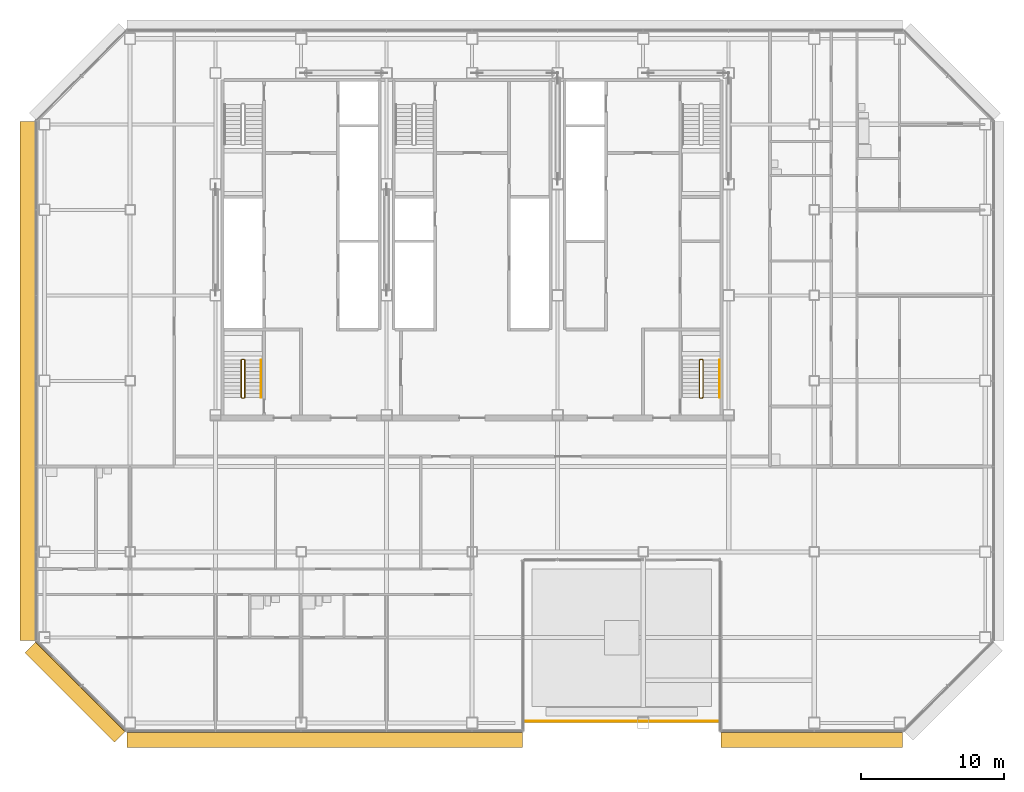
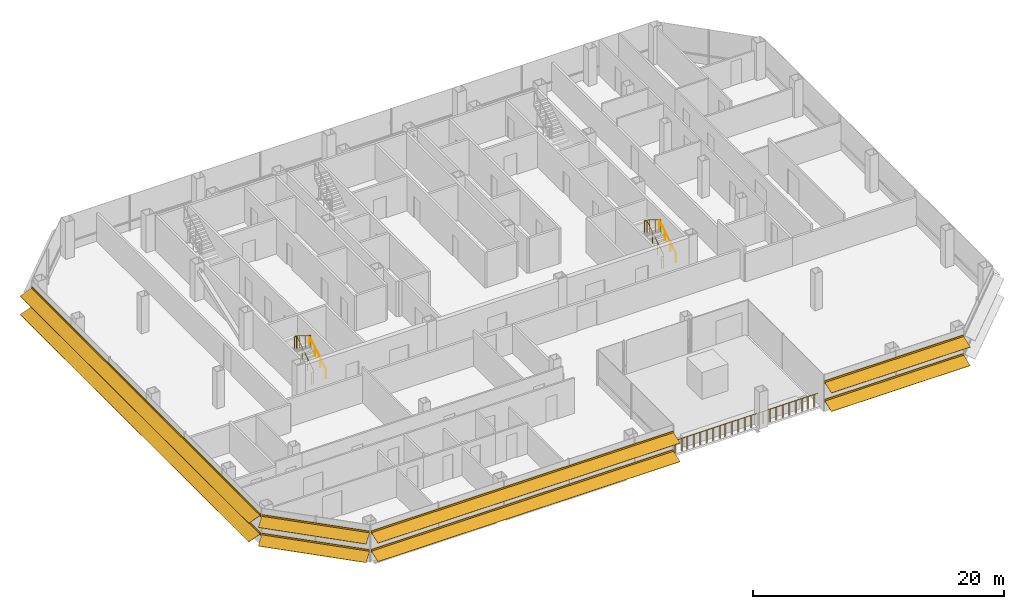
# One storey, part 23 of 26: 5 railings, 4 shading devices.
"""IFC4 building model written with IfcOpenShell, lengths in metres."""

import ifcopenshell
import ifcopenshell.guid

model = None  # the IFC model being written
_history = None  # IfcOwnerHistory: only IFC2X3 demands one
_inside = {}  # id of a spatial element -> (the spatial element, [elements in it])
_under = {}  # id of a project, library or spatial element -> (it, [spatial elements below it])
_declared = {}  # id of a project -> (the project, [libraries it declares])
_typed = {}  # id of a type object -> (the type object, [elements of that type])
_made_of = {}  # id of a material, layer set ... -> (it, [elements and type objects made of it])


def new_model(schema):
    """Start an empty IFC model of exactly this schema.

    Asked for "IFC4X3", IfcOpenShell would pick the latest addendum, in which some entities
    have other attributes; the version numbers below select the first issue.
    IFC2X3 requires an IfcOwnerHistory on every rooted entity: one is made here for all.
    """
    global model, _history
    if schema == "IFC4X3":
        model = ifcopenshell.file(schema_version=(4, 3, 0, 0))
    else:
        model = ifcopenshell.file(schema=schema)
    _inside.clear()
    _under.clear()
    _declared.clear()
    _typed.clear()
    _made_of.clear()
    _history = None
    if model.schema == "IFC2X3":
        org = make("IfcOrganization", Name="unknown")
        user = make(
            "IfcPersonAndOrganization",
            ThePerson=make("IfcPerson", FamilyName="unknown"),
            TheOrganization=org,
        )
        app = make(
            "IfcApplication",
            ApplicationDeveloper=org,
            Version="unknown",
            ApplicationFullName="unknown",
            ApplicationIdentifier="unknown",
        )
        _history = make(
            "IfcOwnerHistory",
            OwningUser=user,
            OwningApplication=app,
            ChangeAction="ADDED",
            CreationDate=0,
        )
    return model


def make(cls, **values):
    """One entity of the class cls with the attributes given. An attribute that is None is left unset."""
    return model.create_entity(
        cls, **{name: value for name, value in values.items() if value is not None}
    )


def rooted(cls, **values):
    """An entity with a GlobalId (a new one), such as an element, a storey or a relation."""
    return make(cls, GlobalId=ifcopenshell.guid.new(), OwnerHistory=_history, **values)


def si_unit(unit_type, name, prefix=None):
    """IfcSIUnit, for example si_unit("LENGTHUNIT", "METRE", prefix="MILLI")."""
    return make("IfcSIUnit", UnitType=unit_type, Prefix=prefix, Name=name)


def assignment(units):
    """IfcUnitAssignment: the units of a project."""
    return None if units is None else make("IfcUnitAssignment", Units=units)


def point(xyz):
    """IfcCartesianPoint."""
    return None if xyz is None else make("IfcCartesianPoint", Coordinates=xyz)


def direction(xyz):
    """IfcDirection."""
    return None if xyz is None else make("IfcDirection", DirectionRatios=xyz)


def frame(location, z_axis=None, x_axis=None):
    """IfcAxis2Placement3D, a coordinate frame: its origin and axes. An axis left out is left unset."""
    return make(
        "IfcAxis2Placement3D",
        Location=point(location),
        Axis=direction(z_axis),
        RefDirection=direction(x_axis),
    )


def frame_2d(location, x_axis=None):
    """IfcAxis2Placement2D, a coordinate frame in the plane: its origin and x axis."""
    return make(
        "IfcAxis2Placement2D", Location=point(location), RefDirection=direction(x_axis)
    )


def origin():
    """The frame at (0, 0, 0) with its axes left unset."""
    return frame((0.0, 0.0, 0.0))


def origin_2d():
    """The frame at (0, 0) in the plane with its x axis left unset."""
    return frame_2d((0.0, 0.0))


def place(relative_to, where):
    """IfcLocalPlacement: puts the frame where relative to a parent placement (None: the world)."""
    return make(
        "IfcLocalPlacement", PlacementRelTo=relative_to, RelativePlacement=where
    )


def context(
    kind, dimensions, precision=None, world=None, true_north=None, identifier=None
):
    """IfcGeometricRepresentationContext, for example the 3D "Model" context."""
    return make(
        "IfcGeometricRepresentationContext",
        ContextIdentifier=identifier,
        ContextType=kind,
        CoordinateSpaceDimension=dimensions,
        Precision=precision,
        WorldCoordinateSystem=world,
        TrueNorth=true_north,
    )


def subcontext(parent, identifier, kind, view, scale=None):
    """IfcGeometricRepresentationSubContext, for example "Body" below "Model"."""
    return make(
        "IfcGeometricRepresentationSubContext",
        ContextIdentifier=identifier,
        ContextType=kind,
        ParentContext=parent,
        TargetScale=scale,
        TargetView=view,
    )


def project(units=None, contexts=None):
    """IfcProject with its units and contexts."""
    return rooted(
        "IfcProject",
        Name="project",
        RepresentationContexts=contexts,
        UnitsInContext=assignment(units),
    )


def spatial(cls, under=None, at=None, **own):
    """A site, building, storey or space (cls), placed at a placement, below another one or the project."""
    s = rooted(cls, ObjectPlacement=at, **own)
    if under is not None:
        _under.setdefault(under.id(), (under, []))[1].append(s)
    return s


def polyline(points):
    """IfcPolyline through the points."""
    return make("IfcPolyline", Points=[point(p) for p in points])


def profile(cls, at=None, kind="AREA", **sizes):
    """A parametric profile (cls). Its sizes go by their IFC names, for example OverallWidth=200.0."""
    return make(cls, ProfileType=kind, Position=at, **sizes)


def circle(**sizes):
    """IfcCircleProfileDef."""
    return profile("IfcCircleProfileDef", **sizes)


def outline(outer, holes=None, kind="AREA"):
    """IfcArbitraryClosedProfileDef: a profile drawn as a closed curve; with holes, ...WithVoids."""
    if holes is None:
        return make("IfcArbitraryClosedProfileDef", ProfileType=kind, OuterCurve=outer)
    return make(
        "IfcArbitraryProfileDefWithVoids",
        ProfileType=kind,
        OuterCurve=outer,
        InnerCurves=holes,
    )


def composite_profile(profiles, kind="AREA"):
    """IfcCompositeProfileDef: several profiles as one."""
    return make("IfcCompositeProfileDef", ProfileType=kind, Profiles=profiles)


def extrude(swept, where, along, depth):
    """IfcExtrudedAreaSolid: the profile swept, set in the frame where, extruded along a direction by depth."""
    return make(
        "IfcExtrudedAreaSolid",
        SweptArea=swept,
        Position=where,
        ExtrudedDirection=direction(along),
        Depth=depth,
    )


def shape(context_of_items, identifier, shape_type, items):
    """IfcShapeRepresentation: the items that make up one representation, for example the "Body"."""
    return make(
        "IfcShapeRepresentation",
        ContextOfItems=context_of_items,
        RepresentationIdentifier=identifier,
        RepresentationType=shape_type,
        Items=items,
    )


def material(Name=None, Category=None):
    """IfcMaterial."""
    return make("IfcMaterial", Name=Name, Category=Category)


def made_of(thing, what):
    """Note that an element or type object is made of a material, layer set ...; save() writes the relation."""
    if what is not None:
        _made_of.setdefault(what.id(), (what, []))[1].append(thing)
    return thing


def type_object(cls, material=None, **own):
    """A type object (cls), such as IfcWallType, which elements share."""
    return made_of(rooted(cls, **own), material)


def element(
    cls,
    number,
    at=None,
    inside=None,
    cuts=None,
    type_object=None,
    material=None,
    context=None,
    identifier="Body",
    shape_type=None,
    held_by="IfcProductDefinitionShape",
    body=None,
    shapes=None,
    **own,
):
    """One element of the class cls, such as IfcWall. Its Tag is "e" and its number.

    at: its placement. inside: the storey or other place that contains it. cuts: it is an
    opening in that element (IfcRelVoidsElement). A single representation is given by context,
    identifier, shape_type and body (its items); several are given by shapes. held_by: the class
    of the entity that holds the representations. save() writes the other relations.
    """
    e = rooted(cls, Tag="e%d" % number, ObjectPlacement=at, **own)
    if body is not None:
        shapes = [shape(context, identifier, shape_type, body)]
    if shapes is not None:
        e.Representation = make(held_by, Representations=shapes)
    if inside is not None:
        _inside.setdefault(inside.id(), (inside, []))[1].append(e)
    if cuts is not None:
        rooted(
            "IfcRelVoidsElement", RelatingBuildingElement=cuts, RelatedOpeningElement=e
        )
    if type_object is not None:
        _typed.setdefault(type_object.id(), (type_object, []))[1].append(e)
    return made_of(e, material)


def aggregate(whole, parts):
    """IfcRelAggregates: a whole, such as a stair, and the parts it consists of."""
    return rooted("IfcRelAggregates", RelatingObject=whole, RelatedObjects=parts)


def save(model, path):
    """Write the relations noted so far, then the file.

    IfcRelAggregates (storeys below a building ...), IfcRelContainedInSpatialStructure (elements
    in a storey), IfcRelDefinesByType, IfcRelAssociatesMaterial and IfcRelDeclares: one each for
    every whole, place, type object, material and project.
    """
    for whole, parts in _under.values():
        aggregate(whole, parts)
    for where, things in _inside.values():
        rooted(
            "IfcRelContainedInSpatialStructure",
            RelatedElements=things,
            RelatingStructure=where,
        )
    for kind, things in _typed.values():
        rooted("IfcRelDefinesByType", RelatedObjects=things, RelatingType=kind)
    for what, things in _made_of.values():
        rooted("IfcRelAssociatesMaterial", RelatedObjects=things, RelatingMaterial=what)
    for by, libraries in _declared.values():
        rooted("IfcRelDeclares", RelatingContext=by, RelatedDefinitions=libraries)
    model.write(path)


model = new_model("IFC4")

# Units and contexts
model_context = context("Model", 3, precision=1e-05, world=origin(), true_north=direction((0.0, 1.0)))
body_context = subcontext(model_context, "Body", "Model", "MODEL_VIEW")
ifc_project = project(units=[si_unit("LENGTHUNIT", "METRE"), si_unit("AREAUNIT", "SQUARE_METRE"), si_unit("VOLUMEUNIT", "CUBIC_METRE"), si_unit("PLANEANGLEUNIT", "RADIAN"), si_unit("MASSUNIT", "GRAM", prefix="KILO")], contexts=[model_context])

# Site, building, storey
site_placement = place(None, origin())
site = spatial("IfcSite", under=ifc_project, at=site_placement, CompositionType="ELEMENT")
building_placement = place(site_placement, origin())
building = spatial("IfcBuilding", under=site, at=building_placement, Name="Sorahane Residences", CompositionType="ELEMENT")
storey_placement = place(building_placement, frame((0.0, 0.0, 103.39990234375)))
storey = spatial("IfcBuildingStorey", under=building, at=storey_placement, Name="L22", CompositionType="ELEMENT", Elevation=103.39990234375)

# Shading devices
ifc_material_1 = material(Name="Terracotta anodised aluminium", Category="masonry")
shading_device_type_1 = type_object("IfcShadingDeviceType", Name="Louvre sunshade blade S terracotta aluminium 1100", PredefinedType="JALOUSIE", material=ifc_material_1)
shading_device_1_placement = place(storey_placement, frame((-0.198486328125, -0.60009765625, 0.900146484375), z_axis=(1.0, 0.0, 0.0), x_axis=(0.0, 1.0, 0.0)))
element("IfcShadingDevice", 1, at=shading_device_1_placement, inside=storey, type_object=shading_device_type_1, Name="Louvre sunshade blade bank S L22 S1", PredefinedType="JALOUSIE", context=body_context, shape_type="SweptSolid", body=[
    extrude(composite_profile([outline(polyline([(-1.1201171875, -0.385498046875), (-1.1201171875, -0.415283203125), (-0.080078125, -0.036865234375), (-0.080078125, -0.14990234375), (-0.02001953125, -0.14990234375), (-0.02001953125, -0.014892578125), (-0.02001953125, 0.014892578125), (-0.02001953125, 0.14990234375), (-0.080078125, 0.14990234375), (-0.080078125, -0.0068359375), (-1.1201171875, -0.385498046875)])), outline(polyline([(-1.1201171875, 1.41455078125), (-1.1201171875, 1.384521484375), (-0.080078125, 1.76318359375), (-0.080078125, 1.64990234375), (-0.02001953125, 1.64990234375), (-0.02001953125, 1.784912109375), (-0.02001953125, 1.81494140625), (-0.02001953125, 1.949951171875), (-0.080078125, 1.949951171875), (-0.080078125, 1.793212890625), (-1.1201171875, 1.41455078125)]))]), origin(), (0.0, 0.0, 1.0), 27.74853515625),
])
shading_device_2_placement = place(storey_placement, frame((41.449951171875, -0.60009765625, 0.900146484375), z_axis=(1.0, 0.0, 0.0), x_axis=(0.0, 1.0, 0.0)))
element("IfcShadingDevice", 2, at=shading_device_2_placement, inside=storey, type_object=shading_device_type_1, Name="Louvre sunshade blade bank S L22 S3", PredefinedType="JALOUSIE", context=body_context, shape_type="SweptSolid", body=[
    extrude(composite_profile([outline(polyline([(-1.1201171875, -0.385498046875), (-1.1201171875, -0.415283203125), (-0.080078125, -0.036865234375), (-0.080078125, -0.14990234375), (-0.02001953125, -0.14990234375), (-0.02001953125, -0.014892578125), (-0.02001953125, 0.014892578125), (-0.02001953125, 0.14990234375), (-0.080078125, 0.14990234375), (-0.080078125, -0.0068359375), (-1.1201171875, -0.385498046875)])), outline(polyline([(-1.1201171875, 1.41455078125), (-1.1201171875, 1.384521484375), (-0.080078125, 1.76318359375), (-0.080078125, 1.64990234375), (-0.02001953125, 1.64990234375), (-0.02001953125, 1.784912109375), (-0.02001953125, 1.81494140625), (-0.02001953125, 1.949951171875), (-0.080078125, 1.949951171875), (-0.080078125, 1.793212890625), (-1.1201171875, 1.41455078125)]))]), origin(), (0.0, 0.0, 1.0), 12.74853515625),
])
ifc_material_2 = material(Name="Terracotta anodised aluminium", Category="masonry")
shading_device_type_2 = type_object("IfcShadingDeviceType", Name="Louvre sunshade blade SW terracotta aluminium 1100", PredefinedType="JALOUSIE", material=ifc_material_2)
shading_device_3_placement = place(storey_placement, frame((-6.564697265625, 5.716064453125, 0.900146484375), z_axis=(0.707106781187, -0.707106781187, 0.0), x_axis=(0.707106781187, 0.707106781187, 0.0)))
element("IfcShadingDevice", 3, at=shading_device_3_placement, inside=storey, type_object=shading_device_type_2, Name="Louvre sunshade blade bank SW L22 SW1", PredefinedType="JALOUSIE", context=body_context, shape_type="SweptSolid", body=[
    extrude(composite_profile([outline(polyline([(-1.1201171875, -0.385498046875), (-1.1201171875, -0.415283203125), (-0.080078125, -0.036865234375), (-0.080078125, -0.14990234375), (-0.02001953125, -0.14990234375), (-0.02001953125, -0.014892578125), (-0.02001953125, 0.014892578125), (-0.02001953125, 0.14990234375), (-0.080078125, 0.14990234375), (-0.080078125, -0.0068359375), (-1.1201171875, -0.385498046875)])), outline(polyline([(-1.1201171875, 1.41455078125), (-1.1201171875, 1.384521484375), (-0.080078125, 1.76318359375), (-0.080078125, 1.64990234375), (-0.02001953125, 1.64990234375), (-0.02001953125, 1.784912109375), (-0.02001953125, 1.81494140625), (-0.02001953125, 1.949951171875), (-0.080078125, 1.949951171875), (-0.080078125, 1.793212890625), (-1.1201171875, 1.41455078125)]))]), origin(), (0.0, 0.0, 1.0), 8.88232421875),
])
ifc_material_3 = material(Name="Terracotta anodised aluminium", Category="masonry")
shading_device_type_3 = type_object("IfcShadingDeviceType", Name="Louvre sunshade blade W terracotta aluminium 1100", PredefinedType="JALOUSIE", material=ifc_material_3)
shading_device_4_placement = place(storey_placement, frame((-6.60009765625, 42.198486328125, 0.900146484375), z_axis=(0.0, -1.0, 0.0), x_axis=(1.0, 0.0, 0.0)))
element("IfcShadingDevice", 4, at=shading_device_4_placement, inside=storey, type_object=shading_device_type_3, Name="Louvre sunshade blade bank W L22 W2", PredefinedType="JALOUSIE", context=body_context, shape_type="SweptSolid", body=[
    extrude(composite_profile([outline(polyline([(-1.1201171875, -0.385498046875), (-1.1201171875, -0.415283203125), (-0.080078125, -0.036865234375), (-0.080078125, -0.14990234375), (-0.02001953125, -0.14990234375), (-0.02001953125, -0.014892578125), (-0.02001953125, 0.014892578125), (-0.02001953125, 0.14990234375), (-0.080078125, 0.14990234375), (-0.080078125, -0.0068359375), (-1.1201171875, -0.385498046875)])), outline(polyline([(-1.1201171875, 1.41455078125), (-1.1201171875, 1.384521484375), (-0.080078125, 1.76318359375), (-0.080078125, 1.64990234375), (-0.02001953125, 1.64990234375), (-0.02001953125, 1.784912109375), (-0.02001953125, 1.81494140625), (-0.02001953125, 1.949951171875), (-0.080078125, 1.949951171875), (-0.080078125, 1.793212890625), (-1.1201171875, 1.41455078125)]))]), origin(), (0.0, 0.0, 1.0), 36.39697265625),
])

# Railings
ifc_material_4 = material(Name="Steel Q355B", Category="steel")
railing_type_1 = type_object("IfcRailingType", Name="Stair guard 1200 Steel Q355B", PredefinedType="GUARDRAIL", material=ifc_material_4)
railing_1_placement = place(storey_placement, frame((7.85009765625, 22.800048828125, 0.0)))
element("IfcRailing", 5, at=railing_1_placement, inside=storey, type_object=railing_type_1, Name="L22 S4 stair guard 1", PredefinedType="GUARDRAIL", context=body_context, shape_type="SweptSolid", body=[
    extrude(circle(Radius=0.02392578125, at=origin_2d()), frame((0.0, 0.0, 1.17578125), z_axis=(1.0, 0.0, 0.0), x_axis=(0.0, 1.0, 0.0)), (0.0, 0.0, 1.0), 0.14990234375),
    extrude(circle(Radius=0.02392578125, at=origin_2d()), frame((0.14990234375, 0.0, 1.17578125), z_axis=(0.280456126637, 0.280456126637, 0.917980785237), x_axis=(-0.707106781187, 0.707106781187, 0.0)), (0.0, 0.0, 1.0), 0.178466796875),
    extrude(circle(Radius=0.02392578125, at=origin_2d()), frame((0.199951171875, 0.050048828125, 1.33984375), z_axis=(0.0, 0.846337672412, 0.532646734952), x_axis=(-1.0, 0.0, 0.0)), (0.0, 0.0, 1.0), 3.07177734375),
    extrude(circle(Radius=0.02392578125, at=origin_2d()), frame((0.199951171875, 2.64990234375, 2.97607421875), z_axis=(-0.707106781187, 0.707106781187, 0.0), x_axis=(-0.707106781187, -0.707106781187, 0.0)), (0.0, 0.0, 1.0), 0.07080078125),
    extrude(circle(Radius=0.02392578125, at=origin_2d()), frame((0.14990234375, 2.699951171875, 2.97607421875), z_axis=(-1.0, 0.0, 0.0), x_axis=(0.0, -1.0, 0.0)), (0.0, 0.0, 1.0), 0.14990234375),
    extrude(circle(Radius=0.02392578125, at=origin_2d()), frame((0.0, 2.699951171875, 2.97607421875), z_axis=(-0.280808744504, -0.280808744504, 0.917765164963), x_axis=(0.707106781187, -0.707106781187, 0.0)), (0.0, 0.0, 1.0), 0.17822265625),
    extrude(circle(Radius=0.02392578125, at=origin_2d()), frame((-0.050048828125, 2.64990234375, 3.1396484375), z_axis=(0.0, -0.846301844409, 0.532703658848), x_axis=(1.0, 0.0, 0.0)), (0.0, 0.0, 1.0), 3.072021484375),
    extrude(circle(Radius=0.02099609375, at=origin_2d()), origin(), (0.0, 0.0, 1.0), 1.15185546875),
    extrude(circle(Radius=0.02099609375, at=origin_2d()), frame((0.14990234375, 0.0, 0.0)), (0.0, 0.0, 1.0), 1.15185546875),
    extrude(circle(Radius=0.02099609375, at=origin_2d()), frame((0.199951171875, 0.050048828125, 0.163818359375)), (0.0, 0.0, 1.0), 1.15185546875),
    extrude(circle(Radius=0.02099609375, at=origin_2d()), frame((0.199951171875, 0.916748046875, 0.709228515625)), (0.0, 0.0, 1.0), 1.15185546875),
    extrude(circle(Radius=0.02099609375, at=origin_2d()), frame((0.199951171875, 1.783203125, 1.254638671875)), (0.0, 0.0, 1.0), 1.15185546875),
    extrude(circle(Radius=0.02099609375, at=origin_2d()), frame((0.199951171875, 2.64990234375, 1.800048828125)), (0.0, 0.0, 1.0), 1.15185546875),
    extrude(circle(Radius=0.02099609375, at=origin_2d()), frame((0.14990234375, 2.699951171875, 1.800048828125)), (0.0, 0.0, 1.0), 1.15185546875),
    extrude(circle(Radius=0.02099609375, at=origin_2d()), frame((0.0, 2.699951171875, 1.800048828125)), (0.0, 0.0, 1.0), 1.15185546875),
    extrude(circle(Radius=0.02099609375, at=origin_2d()), frame((-0.050048828125, 2.64990234375, 1.963623046875)), (0.0, 0.0, 1.0), 1.15185546875),
    extrude(circle(Radius=0.02099609375, at=origin_2d()), frame((-0.050048828125, 1.783203125, 2.509033203125)), (0.0, 0.0, 1.0), 1.15185546875),
    extrude(circle(Radius=0.02099609375, at=origin_2d()), frame((-0.050048828125, 0.916748046875, 3.0546875)), (0.0, 0.0, 1.0), 1.15185546875),
    extrude(circle(Radius=0.02099609375, at=origin_2d()), frame((-0.050048828125, 0.050048828125, 3.60009765625)), (0.0, 0.0, 1.0), 1.15185546875),
])
railing_2_placement = place(storey_placement, frame((40.0, 22.800048828125, 0.0)))
element("IfcRailing", 6, at=railing_2_placement, inside=storey, type_object=railing_type_1, Name="L22 S5 stair guard 1", PredefinedType="GUARDRAIL", context=body_context, shape_type="SweptSolid", body=[
    extrude(circle(Radius=0.02392578125, at=origin_2d()), frame((0.0, 0.0, 1.17578125), z_axis=(1.0, 0.0, 0.0), x_axis=(0.0, 1.0, 0.0)), (0.0, 0.0, 1.0), 0.14990234375),
    extrude(circle(Radius=0.02392578125, at=origin_2d()), frame((0.14990234375, 0.0, 1.17578125), z_axis=(0.280456126637, 0.280456126637, 0.917980785237), x_axis=(-0.707106781187, 0.707106781187, 0.0)), (0.0, 0.0, 1.0), 0.178466796875),
    extrude(circle(Radius=0.02392578125, at=origin_2d()), frame((0.199951171875, 0.050048828125, 1.33984375), z_axis=(0.0, 0.846337672412, 0.532646734952), x_axis=(-1.0, 0.0, 0.0)), (0.0, 0.0, 1.0), 3.07177734375),
    extrude(circle(Radius=0.02392578125, at=origin_2d()), frame((0.199951171875, 2.64990234375, 2.97607421875), z_axis=(-0.707106781187, 0.707106781187, 0.0), x_axis=(-0.707106781187, -0.707106781187, 0.0)), (0.0, 0.0, 1.0), 0.07080078125),
    extrude(circle(Radius=0.02392578125, at=origin_2d()), frame((0.14990234375, 2.699951171875, 2.97607421875), z_axis=(-1.0, 0.0, 0.0), x_axis=(0.0, -1.0, 0.0)), (0.0, 0.0, 1.0), 0.14990234375),
    extrude(circle(Radius=0.02392578125, at=origin_2d()), frame((0.0, 2.699951171875, 2.97607421875), z_axis=(-0.280808744504, -0.280808744504, 0.917765164963), x_axis=(0.707106781187, -0.707106781187, 0.0)), (0.0, 0.0, 1.0), 0.17822265625),
    extrude(circle(Radius=0.02392578125, at=origin_2d()), frame((-0.050048828125, 2.64990234375, 3.1396484375), z_axis=(0.0, -0.846301844409, 0.532703658848), x_axis=(1.0, 0.0, 0.0)), (0.0, 0.0, 1.0), 3.072021484375),
    extrude(circle(Radius=0.02099609375, at=origin_2d()), origin(), (0.0, 0.0, 1.0), 1.15185546875),
    extrude(circle(Radius=0.02099609375, at=origin_2d()), frame((0.14990234375, 0.0, 0.0)), (0.0, 0.0, 1.0), 1.15185546875),
    extrude(circle(Radius=0.02099609375, at=origin_2d()), frame((0.199951171875, 0.050048828125, 0.163818359375)), (0.0, 0.0, 1.0), 1.15185546875),
    extrude(circle(Radius=0.02099609375, at=origin_2d()), frame((0.199951171875, 0.916748046875, 0.709228515625)), (0.0, 0.0, 1.0), 1.15185546875),
    extrude(circle(Radius=0.02099609375, at=origin_2d()), frame((0.199951171875, 1.783203125, 1.254638671875)), (0.0, 0.0, 1.0), 1.15185546875),
    extrude(circle(Radius=0.02099609375, at=origin_2d()), frame((0.199951171875, 2.64990234375, 1.800048828125)), (0.0, 0.0, 1.0), 1.15185546875),
    extrude(circle(Radius=0.02099609375, at=origin_2d()), frame((0.14990234375, 2.699951171875, 1.800048828125)), (0.0, 0.0, 1.0), 1.15185546875),
    extrude(circle(Radius=0.02099609375, at=origin_2d()), frame((0.0, 2.699951171875, 1.800048828125)), (0.0, 0.0, 1.0), 1.15185546875),
    extrude(circle(Radius=0.02099609375, at=origin_2d()), frame((-0.050048828125, 2.64990234375, 1.963623046875)), (0.0, 0.0, 1.0), 1.15185546875),
    extrude(circle(Radius=0.02099609375, at=origin_2d()), frame((-0.050048828125, 1.783203125, 2.509033203125)), (0.0, 0.0, 1.0), 1.15185546875),
    extrude(circle(Radius=0.02099609375, at=origin_2d()), frame((-0.050048828125, 0.916748046875, 3.0546875)), (0.0, 0.0, 1.0), 1.15185546875),
    extrude(circle(Radius=0.02099609375, at=origin_2d()), frame((-0.050048828125, 0.050048828125, 3.60009765625)), (0.0, 0.0, 1.0), 1.15185546875),
])
ifc_material_5 = material(Name="Steel Q355B", Category="steel")
railing_type_2 = type_object("IfcRailingType", Name="Stair handrail 900 Steel Q355B", PredefinedType="HANDRAIL", material=ifc_material_5)
for number, where, name in (
    (7, (9.199951171875, 22.85009765625, 0.163818359375), "L22 S4 stair handrail 1"),
    (8, (41.35009765625, 22.85009765625, 0.163818359375), "L22 S5 stair handrail 1"),
):
    element("IfcRailing", number, at=place(storey_placement, frame(where)), inside=storey, type_object=railing_type_2, Name=name, PredefinedType="HANDRAIL", context=body_context, shape_type="SweptSolid", body=[
        extrude(circle(Radius=0.02392578125, at=origin_2d()), frame((0.0, 0.0, 0.8759765625), z_axis=(0.0, 0.846337672412, 0.532646734952), x_axis=(-1.0, 0.0, 0.0)), (0.0, 0.0, 1.0), 3.07177734375),
        extrude(circle(Radius=0.02099609375, at=origin_2d()), origin(), (0.0, 0.0, 1.0), 0.851806640625),
        extrude(circle(Radius=0.02099609375, at=origin_2d()), frame((0.0, 0.86669921875, 0.54541015625)), (0.0, 0.0, 1.0), 0.851806640625),
        extrude(circle(Radius=0.02099609375, at=origin_2d()), frame((0.0, 1.733154296875, 1.0908203125)), (0.0, 0.0, 1.0), 0.851806640625),
        extrude(circle(Radius=0.02099609375, at=origin_2d()), frame((0.0, 2.599853515625, 1.63623046875)), (0.0, 0.0, 1.0), 0.851806640625),
    ])
ifc_material_6 = material(Name="Clear low-iron glass with a black steel top rail", Category="steel")
railing_type_3 = type_object("IfcRailingType", Name="Terrace guard black steel bars 1260", PredefinedType="GUARDRAIL", material=ifc_material_6)
railing_3_placement = place(storey_placement, frame((41.280029296875, 0.1201171875, 0.0)))
element("IfcRailing", 9, at=railing_3_placement, inside=storey, type_object=railing_type_3, Name="Terrace guard L22.1.1", PredefinedType="GUARDRAIL", context=body_context, shape_type="SweptSolid", body=[
    extrude(circle(Radius=0.030029296875, at=origin_2d()), frame((0.0, 0.0, 1.22998046875), z_axis=(-1.0, 0.0, 0.0), x_axis=(0.0, -1.0, 0.0)), (0.0, 0.0, 1.0), 13.56005859375),
    extrude(circle(Radius=0.0068359375, at=origin_2d()), origin(), (0.0, 0.0, 1.0), 1.199951171875),
    extrude(circle(Radius=0.0068359375, at=origin_2d()), frame((-0.099609375, 0.0, 0.0)), (0.0, 0.0, 1.0), 1.199951171875),
    extrude(circle(Radius=0.0068359375, at=origin_2d()), frame((-0.199462890625, 0.0, 0.0)), (0.0, 0.0, 1.0), 1.199951171875),
    extrude(circle(Radius=0.0068359375, at=origin_2d()), frame((-0.299072265625, 0.0, 0.0)), (0.0, 0.0, 1.0), 1.199951171875),
    extrude(circle(Radius=0.0068359375, at=origin_2d()), frame((-0.39892578125, 0.0, 0.0)), (0.0, 0.0, 1.0), 1.199951171875),
    extrude(circle(Radius=0.0068359375, at=origin_2d()), frame((-0.49853515625, 0.0, 0.0)), (0.0, 0.0, 1.0), 1.199951171875),
    extrude(circle(Radius=0.0068359375, at=origin_2d()), frame((-0.59814453125, 0.0, 0.0)), (0.0, 0.0, 1.0), 1.199951171875),
    extrude(circle(Radius=0.0068359375, at=origin_2d()), frame((-0.697998046875, 0.0, 0.0)), (0.0, 0.0, 1.0), 1.199951171875),
    extrude(circle(Radius=0.0068359375, at=origin_2d()), frame((-0.797607421875, 0.0, 0.0)), (0.0, 0.0, 1.0), 1.199951171875),
    extrude(circle(Radius=0.0068359375, at=origin_2d()), frame((-0.8974609375, 0.0, 0.0)), (0.0, 0.0, 1.0), 1.199951171875),
    extrude(circle(Radius=0.0068359375, at=origin_2d()), frame((-0.9970703125, 0.0, 0.0)), (0.0, 0.0, 1.0), 1.199951171875),
    extrude(circle(Radius=0.0068359375, at=origin_2d()), frame((-1.0966796875, 0.0, 0.0)), (0.0, 0.0, 1.0), 1.199951171875),
    extrude(circle(Radius=0.0068359375, at=origin_2d()), frame((-1.196533203125, 0.0, 0.0)), (0.0, 0.0, 1.0), 1.199951171875),
    extrude(circle(Radius=0.0068359375, at=origin_2d()), frame((-1.296142578125, 0.0, 0.0)), (0.0, 0.0, 1.0), 1.199951171875),
    extrude(circle(Radius=0.0068359375, at=origin_2d()), frame((-1.39599609375, 0.0, 0.0)), (0.0, 0.0, 1.0), 1.199951171875),
    extrude(circle(Radius=0.0068359375, at=origin_2d()), frame((-1.49560546875, 0.0, 0.0)), (0.0, 0.0, 1.0), 1.199951171875),
    extrude(circle(Radius=0.0068359375, at=origin_2d()), frame((-1.59521484375, 0.0, 0.0)), (0.0, 0.0, 1.0), 1.199951171875),
    extrude(circle(Radius=0.0068359375, at=origin_2d()), frame((-1.695068359375, 0.0, 0.0)), (0.0, 0.0, 1.0), 1.199951171875),
    extrude(circle(Radius=0.0068359375, at=origin_2d()), frame((-1.794677734375, 0.0, 0.0)), (0.0, 0.0, 1.0), 1.199951171875),
    extrude(circle(Radius=0.0068359375, at=origin_2d()), frame((-1.89453125, 0.0, 0.0)), (0.0, 0.0, 1.0), 1.199951171875),
    extrude(circle(Radius=0.0068359375, at=origin_2d()), frame((-1.994140625, 0.0, 0.0)), (0.0, 0.0, 1.0), 1.199951171875),
    extrude(circle(Radius=0.0068359375, at=origin_2d()), frame((-2.09375, 0.0, 0.0)), (0.0, 0.0, 1.0), 1.199951171875),
    extrude(circle(Radius=0.0068359375, at=origin_2d()), frame((-2.193603515625, 0.0, 0.0)), (0.0, 0.0, 1.0), 1.199951171875),
    extrude(circle(Radius=0.0068359375, at=origin_2d()), frame((-2.293212890625, 0.0, 0.0)), (0.0, 0.0, 1.0), 1.199951171875),
    extrude(circle(Radius=0.0068359375, at=origin_2d()), frame((-2.39306640625, 0.0, 0.0)), (0.0, 0.0, 1.0), 1.199951171875),
    extrude(circle(Radius=0.0068359375, at=origin_2d()), frame((-2.49267578125, 0.0, 0.0)), (0.0, 0.0, 1.0), 1.199951171875),
    extrude(circle(Radius=0.0068359375, at=origin_2d()), frame((-2.59228515625, 0.0, 0.0)), (0.0, 0.0, 1.0), 1.199951171875),
    extrude(circle(Radius=0.0068359375, at=origin_2d()), frame((-2.692138671875, 0.0, 0.0)), (0.0, 0.0, 1.0), 1.199951171875),
    extrude(circle(Radius=0.0068359375, at=origin_2d()), frame((-2.791748046875, 0.0, 0.0)), (0.0, 0.0, 1.0), 1.199951171875),
    extrude(circle(Radius=0.0068359375, at=origin_2d()), frame((-2.8916015625, 0.0, 0.0)), (0.0, 0.0, 1.0), 1.199951171875),
    extrude(circle(Radius=0.0068359375, at=origin_2d()), frame((-2.9912109375, 0.0, 0.0)), (0.0, 0.0, 1.0), 1.199951171875),
    extrude(circle(Radius=0.0068359375, at=origin_2d()), frame((-3.0908203125, 0.0, 0.0)), (0.0, 0.0, 1.0), 1.199951171875),
    extrude(circle(Radius=0.0068359375, at=origin_2d()), frame((-3.190673828125, 0.0, 0.0)), (0.0, 0.0, 1.0), 1.199951171875),
    extrude(circle(Radius=0.0068359375, at=origin_2d()), frame((-3.290283203125, 0.0, 0.0)), (0.0, 0.0, 1.0), 1.199951171875),
    extrude(circle(Radius=0.0068359375, at=origin_2d()), frame((-3.39013671875, 0.0, 0.0)), (0.0, 0.0, 1.0), 1.199951171875),
    extrude(circle(Radius=0.0068359375, at=origin_2d()), frame((-3.48974609375, 0.0, 0.0)), (0.0, 0.0, 1.0), 1.199951171875),
    extrude(circle(Radius=0.0068359375, at=origin_2d()), frame((-3.58935546875, 0.0, 0.0)), (0.0, 0.0, 1.0), 1.199951171875),
    extrude(circle(Radius=0.0068359375, at=origin_2d()), frame((-3.689208984375, 0.0, 0.0)), (0.0, 0.0, 1.0), 1.199951171875),
    extrude(circle(Radius=0.0068359375, at=origin_2d()), frame((-3.788818359375, 0.0, 0.0)), (0.0, 0.0, 1.0), 1.199951171875),
    extrude(circle(Radius=0.0068359375, at=origin_2d()), frame((-3.888427734375, 0.0, 0.0)), (0.0, 0.0, 1.0), 1.199951171875),
    extrude(circle(Radius=0.0068359375, at=origin_2d()), frame((-3.98828125, 0.0, 0.0)), (0.0, 0.0, 1.0), 1.199951171875),
    extrude(circle(Radius=0.0068359375, at=origin_2d()), frame((-4.087890625, 0.0, 0.0)), (0.0, 0.0, 1.0), 1.199951171875),
    extrude(circle(Radius=0.0068359375, at=origin_2d()), frame((-4.187744140625, 0.0, 0.0)), (0.0, 0.0, 1.0), 1.199951171875),
    extrude(circle(Radius=0.0068359375, at=origin_2d()), frame((-4.287353515625, 0.0, 0.0)), (0.0, 0.0, 1.0), 1.199951171875),
    extrude(circle(Radius=0.0068359375, at=origin_2d()), frame((-4.386962890625, 0.0, 0.0)), (0.0, 0.0, 1.0), 1.199951171875),
    extrude(circle(Radius=0.0068359375, at=origin_2d()), frame((-4.48681640625, 0.0, 0.0)), (0.0, 0.0, 1.0), 1.199951171875),
    extrude(circle(Radius=0.0068359375, at=origin_2d()), frame((-4.58642578125, 0.0, 0.0)), (0.0, 0.0, 1.0), 1.199951171875),
    extrude(circle(Radius=0.0068359375, at=origin_2d()), frame((-4.686279296875, 0.0, 0.0)), (0.0, 0.0, 1.0), 1.199951171875),
    extrude(circle(Radius=0.0068359375, at=origin_2d()), frame((-4.785888671875, 0.0, 0.0)), (0.0, 0.0, 1.0), 1.199951171875),
    extrude(circle(Radius=0.0068359375, at=origin_2d()), frame((-4.885498046875, 0.0, 0.0)), (0.0, 0.0, 1.0), 1.199951171875),
    extrude(circle(Radius=0.0068359375, at=origin_2d()), frame((-4.9853515625, 0.0, 0.0)), (0.0, 0.0, 1.0), 1.199951171875),
    extrude(circle(Radius=0.0068359375, at=origin_2d()), frame((-5.0849609375, 0.0, 0.0)), (0.0, 0.0, 1.0), 1.199951171875),
    extrude(circle(Radius=0.0068359375, at=origin_2d()), frame((-5.184814453125, 0.0, 0.0)), (0.0, 0.0, 1.0), 1.199951171875),
    extrude(circle(Radius=0.0068359375, at=origin_2d()), frame((-5.284423828125, 0.0, 0.0)), (0.0, 0.0, 1.0), 1.199951171875),
    extrude(circle(Radius=0.0068359375, at=origin_2d()), frame((-5.384033203125, 0.0, 0.0)), (0.0, 0.0, 1.0), 1.199951171875),
    extrude(circle(Radius=0.0068359375, at=origin_2d()), frame((-5.48388671875, 0.0, 0.0)), (0.0, 0.0, 1.0), 1.199951171875),
    extrude(circle(Radius=0.0068359375, at=origin_2d()), frame((-5.58349609375, 0.0, 0.0)), (0.0, 0.0, 1.0), 1.199951171875),
    extrude(circle(Radius=0.0068359375, at=origin_2d()), frame((-5.683349609375, 0.0, 0.0)), (0.0, 0.0, 1.0), 1.199951171875),
    extrude(circle(Radius=0.0068359375, at=origin_2d()), frame((-5.782958984375, 0.0, 0.0)), (0.0, 0.0, 1.0), 1.199951171875),
    extrude(circle(Radius=0.0068359375, at=origin_2d()), frame((-5.882568359375, 0.0, 0.0)), (0.0, 0.0, 1.0), 1.199951171875),
    extrude(circle(Radius=0.0068359375, at=origin_2d()), frame((-5.982421875, 0.0, 0.0)), (0.0, 0.0, 1.0), 1.199951171875),
    extrude(circle(Radius=0.0068359375, at=origin_2d()), frame((-6.08203125, 0.0, 0.0)), (0.0, 0.0, 1.0), 1.199951171875),
    extrude(circle(Radius=0.0068359375, at=origin_2d()), frame((-6.181884765625, 0.0, 0.0)), (0.0, 0.0, 1.0), 1.199951171875),
    extrude(circle(Radius=0.0068359375, at=origin_2d()), frame((-6.281494140625, 0.0, 0.0)), (0.0, 0.0, 1.0), 1.199951171875),
    extrude(circle(Radius=0.0068359375, at=origin_2d()), frame((-6.381103515625, 0.0, 0.0)), (0.0, 0.0, 1.0), 1.199951171875),
    extrude(circle(Radius=0.0068359375, at=origin_2d()), frame((-6.48095703125, 0.0, 0.0)), (0.0, 0.0, 1.0), 1.199951171875),
    extrude(circle(Radius=0.0068359375, at=origin_2d()), frame((-6.58056640625, 0.0, 0.0)), (0.0, 0.0, 1.0), 1.199951171875),
    extrude(circle(Radius=0.0068359375, at=origin_2d()), frame((-6.680419921875, 0.0, 0.0)), (0.0, 0.0, 1.0), 1.199951171875),
    extrude(circle(Radius=0.0068359375, at=origin_2d()), frame((-6.780029296875, 0.0, 0.0)), (0.0, 0.0, 1.0), 1.199951171875),
    extrude(circle(Radius=0.0068359375, at=origin_2d()), frame((-6.879638671875, 0.0, 0.0)), (0.0, 0.0, 1.0), 1.199951171875),
    extrude(circle(Radius=0.0068359375, at=origin_2d()), frame((-6.9794921875, 0.0, 0.0)), (0.0, 0.0, 1.0), 1.199951171875),
    extrude(circle(Radius=0.0068359375, at=origin_2d()), frame((-7.0791015625, 0.0, 0.0)), (0.0, 0.0, 1.0), 1.199951171875),
    extrude(circle(Radius=0.0068359375, at=origin_2d()), frame((-7.178955078125, 0.0, 0.0)), (0.0, 0.0, 1.0), 1.199951171875),
    extrude(circle(Radius=0.0068359375, at=origin_2d()), frame((-7.278564453125, 0.0, 0.0)), (0.0, 0.0, 1.0), 1.199951171875),
    extrude(circle(Radius=0.0068359375, at=origin_2d()), frame((-7.378173828125, 0.0, 0.0)), (0.0, 0.0, 1.0), 1.199951171875),
    extrude(circle(Radius=0.0068359375, at=origin_2d()), frame((-7.47802734375, 0.0, 0.0)), (0.0, 0.0, 1.0), 1.199951171875),
    extrude(circle(Radius=0.0068359375, at=origin_2d()), frame((-7.57763671875, 0.0, 0.0)), (0.0, 0.0, 1.0), 1.199951171875),
    extrude(circle(Radius=0.0068359375, at=origin_2d()), frame((-7.677490234375, 0.0, 0.0)), (0.0, 0.0, 1.0), 1.199951171875),
    extrude(circle(Radius=0.0068359375, at=origin_2d()), frame((-7.777099609375, 0.0, 0.0)), (0.0, 0.0, 1.0), 1.199951171875),
    extrude(circle(Radius=0.0068359375, at=origin_2d()), frame((-7.876708984375, 0.0, 0.0)), (0.0, 0.0, 1.0), 1.199951171875),
    extrude(circle(Radius=0.0068359375, at=origin_2d()), frame((-7.9765625, 0.0, 0.0)), (0.0, 0.0, 1.0), 1.199951171875),
    extrude(circle(Radius=0.0068359375, at=origin_2d()), frame((-8.076171875, 0.0, 0.0)), (0.0, 0.0, 1.0), 1.199951171875),
    extrude(circle(Radius=0.0068359375, at=origin_2d()), frame((-8.176025390625, 0.0, 0.0)), (0.0, 0.0, 1.0), 1.199951171875),
    extrude(circle(Radius=0.0068359375, at=origin_2d()), frame((-8.275634765625, 0.0, 0.0)), (0.0, 0.0, 1.0), 1.199951171875),
    extrude(circle(Radius=0.0068359375, at=origin_2d()), frame((-8.375244140625, 0.0, 0.0)), (0.0, 0.0, 1.0), 1.199951171875),
    extrude(circle(Radius=0.0068359375, at=origin_2d()), frame((-8.47509765625, 0.0, 0.0)), (0.0, 0.0, 1.0), 1.199951171875),
    extrude(circle(Radius=0.0068359375, at=origin_2d()), frame((-8.57470703125, 0.0, 0.0)), (0.0, 0.0, 1.0), 1.199951171875),
    extrude(circle(Radius=0.0068359375, at=origin_2d()), frame((-8.674560546875, 0.0, 0.0)), (0.0, 0.0, 1.0), 1.199951171875),
    extrude(circle(Radius=0.0068359375, at=origin_2d()), frame((-8.774169921875, 0.0, 0.0)), (0.0, 0.0, 1.0), 1.199951171875),
    extrude(circle(Radius=0.0068359375, at=origin_2d()), frame((-8.873779296875, 0.0, 0.0)), (0.0, 0.0, 1.0), 1.199951171875),
    extrude(circle(Radius=0.0068359375, at=origin_2d()), frame((-8.9736328125, 0.0, 0.0)), (0.0, 0.0, 1.0), 1.199951171875),
    extrude(circle(Radius=0.0068359375, at=origin_2d()), frame((-9.0732421875, 0.0, 0.0)), (0.0, 0.0, 1.0), 1.199951171875),
    extrude(circle(Radius=0.0068359375, at=origin_2d()), frame((-9.173095703125, 0.0, 0.0)), (0.0, 0.0, 1.0), 1.199951171875),
    extrude(circle(Radius=0.0068359375, at=origin_2d()), frame((-9.272705078125, 0.0, 0.0)), (0.0, 0.0, 1.0), 1.199951171875),
    extrude(circle(Radius=0.0068359375, at=origin_2d()), frame((-9.372314453125, 0.0, 0.0)), (0.0, 0.0, 1.0), 1.199951171875),
    extrude(circle(Radius=0.0068359375, at=origin_2d()), frame((-9.47216796875, 0.0, 0.0)), (0.0, 0.0, 1.0), 1.199951171875),
    extrude(circle(Radius=0.0068359375, at=origin_2d()), frame((-9.57177734375, 0.0, 0.0)), (0.0, 0.0, 1.0), 1.199951171875),
    extrude(circle(Radius=0.0068359375, at=origin_2d()), frame((-9.671630859375, 0.0, 0.0)), (0.0, 0.0, 1.0), 1.199951171875),
    extrude(circle(Radius=0.0068359375, at=origin_2d()), frame((-9.771240234375, 0.0, 0.0)), (0.0, 0.0, 1.0), 1.199951171875),
    extrude(circle(Radius=0.0068359375, at=origin_2d()), frame((-9.870849609375, 0.0, 0.0)), (0.0, 0.0, 1.0), 1.199951171875),
    extrude(circle(Radius=0.0068359375, at=origin_2d()), frame((-9.970703125, 0.0, 0.0)), (0.0, 0.0, 1.0), 1.199951171875),
    extrude(circle(Radius=0.0068359375, at=origin_2d()), frame((-10.0703125, 0.0, 0.0)), (0.0, 0.0, 1.0), 1.199951171875),
    extrude(circle(Radius=0.0068359375, at=origin_2d()), frame((-10.169921875, 0.0, 0.0)), (0.0, 0.0, 1.0), 1.199951171875),
    extrude(circle(Radius=0.0068359375, at=origin_2d()), frame((-10.269775390625, 0.0, 0.0)), (0.0, 0.0, 1.0), 1.199951171875),
    extrude(circle(Radius=0.0068359375, at=origin_2d()), frame((-10.369384765625, 0.0, 0.0)), (0.0, 0.0, 1.0), 1.199951171875),
    extrude(circle(Radius=0.0068359375, at=origin_2d()), frame((-10.46923828125, 0.0, 0.0)), (0.0, 0.0, 1.0), 1.199951171875),
    extrude(circle(Radius=0.0068359375, at=origin_2d()), frame((-10.56884765625, 0.0, 0.0)), (0.0, 0.0, 1.0), 1.199951171875),
    extrude(circle(Radius=0.0068359375, at=origin_2d()), frame((-10.66845703125, 0.0, 0.0)), (0.0, 0.0, 1.0), 1.199951171875),
    extrude(circle(Radius=0.0068359375, at=origin_2d()), frame((-10.768310546875, 0.0, 0.0)), (0.0, 0.0, 1.0), 1.199951171875),
    extrude(circle(Radius=0.0068359375, at=origin_2d()), frame((-10.867919921875, 0.0, 0.0)), (0.0, 0.0, 1.0), 1.199951171875),
    extrude(circle(Radius=0.0068359375, at=origin_2d()), frame((-10.9677734375, 0.0, 0.0)), (0.0, 0.0, 1.0), 1.199951171875),
    extrude(circle(Radius=0.0068359375, at=origin_2d()), frame((-11.0673828125, 0.0, 0.0)), (0.0, 0.0, 1.0), 1.199951171875),
    extrude(circle(Radius=0.0068359375, at=origin_2d()), frame((-11.1669921875, 0.0, 0.0)), (0.0, 0.0, 1.0), 1.199951171875),
    extrude(circle(Radius=0.0068359375, at=origin_2d()), frame((-11.266845703125, 0.0, 0.0)), (0.0, 0.0, 1.0), 1.199951171875),
    extrude(circle(Radius=0.0068359375, at=origin_2d()), frame((-11.366455078125, 0.0, 0.0)), (0.0, 0.0, 1.0), 1.199951171875),
    extrude(circle(Radius=0.0068359375, at=origin_2d()), frame((-11.46630859375, 0.0, 0.0)), (0.0, 0.0, 1.0), 1.199951171875),
    extrude(circle(Radius=0.0068359375, at=origin_2d()), frame((-11.56591796875, 0.0, 0.0)), (0.0, 0.0, 1.0), 1.199951171875),
    extrude(circle(Radius=0.0068359375, at=origin_2d()), frame((-11.66552734375, 0.0, 0.0)), (0.0, 0.0, 1.0), 1.199951171875),
    extrude(circle(Radius=0.0068359375, at=origin_2d()), frame((-11.765380859375, 0.0, 0.0)), (0.0, 0.0, 1.0), 1.199951171875),
    extrude(circle(Radius=0.0068359375, at=origin_2d()), frame((-11.864990234375, 0.0, 0.0)), (0.0, 0.0, 1.0), 1.199951171875),
    extrude(circle(Radius=0.0068359375, at=origin_2d()), frame((-11.96484375, 0.0, 0.0)), (0.0, 0.0, 1.0), 1.199951171875),
    extrude(circle(Radius=0.0068359375, at=origin_2d()), frame((-12.064453125, 0.0, 0.0)), (0.0, 0.0, 1.0), 1.199951171875),
    extrude(circle(Radius=0.0068359375, at=origin_2d()), frame((-12.1640625, 0.0, 0.0)), (0.0, 0.0, 1.0), 1.199951171875),
    extrude(circle(Radius=0.0068359375, at=origin_2d()), frame((-12.263916015625, 0.0, 0.0)), (0.0, 0.0, 1.0), 1.199951171875),
    extrude(circle(Radius=0.0068359375, at=origin_2d()), frame((-12.363525390625, 0.0, 0.0)), (0.0, 0.0, 1.0), 1.199951171875),
    extrude(circle(Radius=0.0068359375, at=origin_2d()), frame((-12.46337890625, 0.0, 0.0)), (0.0, 0.0, 1.0), 1.199951171875),
    extrude(circle(Radius=0.0068359375, at=origin_2d()), frame((-12.56298828125, 0.0, 0.0)), (0.0, 0.0, 1.0), 1.199951171875),
    extrude(circle(Radius=0.0068359375, at=origin_2d()), frame((-12.66259765625, 0.0, 0.0)), (0.0, 0.0, 1.0), 1.199951171875),
    extrude(circle(Radius=0.0068359375, at=origin_2d()), frame((-12.762451171875, 0.0, 0.0)), (0.0, 0.0, 1.0), 1.199951171875),
    extrude(circle(Radius=0.0068359375, at=origin_2d()), frame((-12.862060546875, 0.0, 0.0)), (0.0, 0.0, 1.0), 1.199951171875),
    extrude(circle(Radius=0.0068359375, at=origin_2d()), frame((-12.9619140625, 0.0, 0.0)), (0.0, 0.0, 1.0), 1.199951171875),
    extrude(circle(Radius=0.0068359375, at=origin_2d()), frame((-13.0615234375, 0.0, 0.0)), (0.0, 0.0, 1.0), 1.199951171875),
    extrude(circle(Radius=0.0068359375, at=origin_2d()), frame((-13.1611328125, 0.0, 0.0)), (0.0, 0.0, 1.0), 1.199951171875),
    extrude(circle(Radius=0.0068359375, at=origin_2d()), frame((-13.260986328125, 0.0, 0.0)), (0.0, 0.0, 1.0), 1.199951171875),
    extrude(circle(Radius=0.0068359375, at=origin_2d()), frame((-13.360595703125, 0.0, 0.0)), (0.0, 0.0, 1.0), 1.199951171875),
    extrude(circle(Radius=0.0068359375, at=origin_2d()), frame((-13.46044921875, 0.0, 0.0)), (0.0, 0.0, 1.0), 1.199951171875),
    extrude(circle(Radius=0.0068359375, at=origin_2d()), frame((-13.56005859375, 0.0, 0.0)), (0.0, 0.0, 1.0), 1.199951171875),
])

save(model, "model.ifc")
